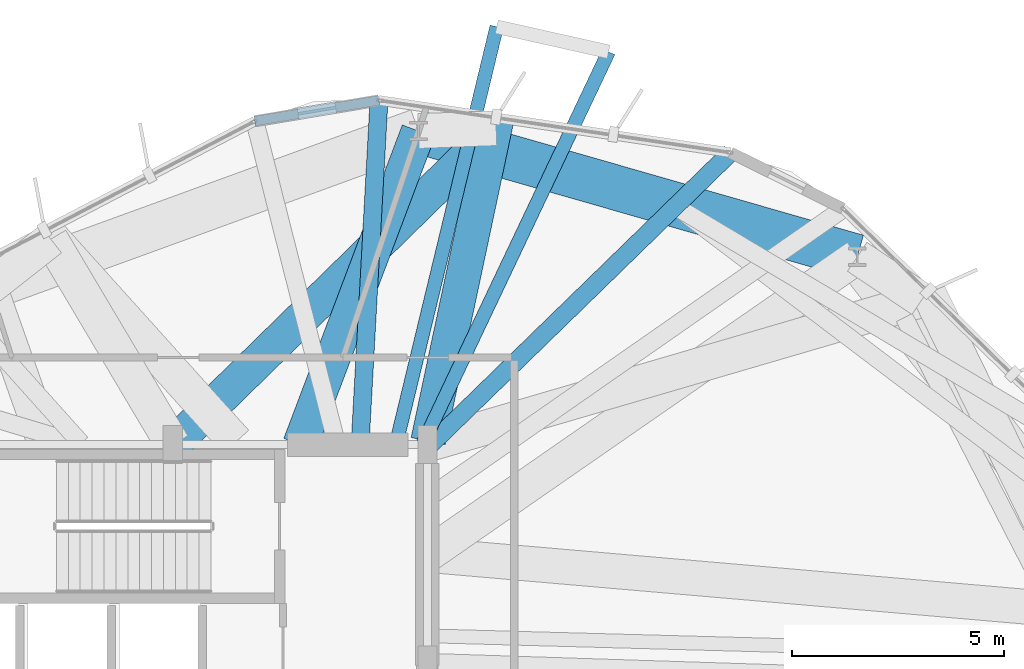
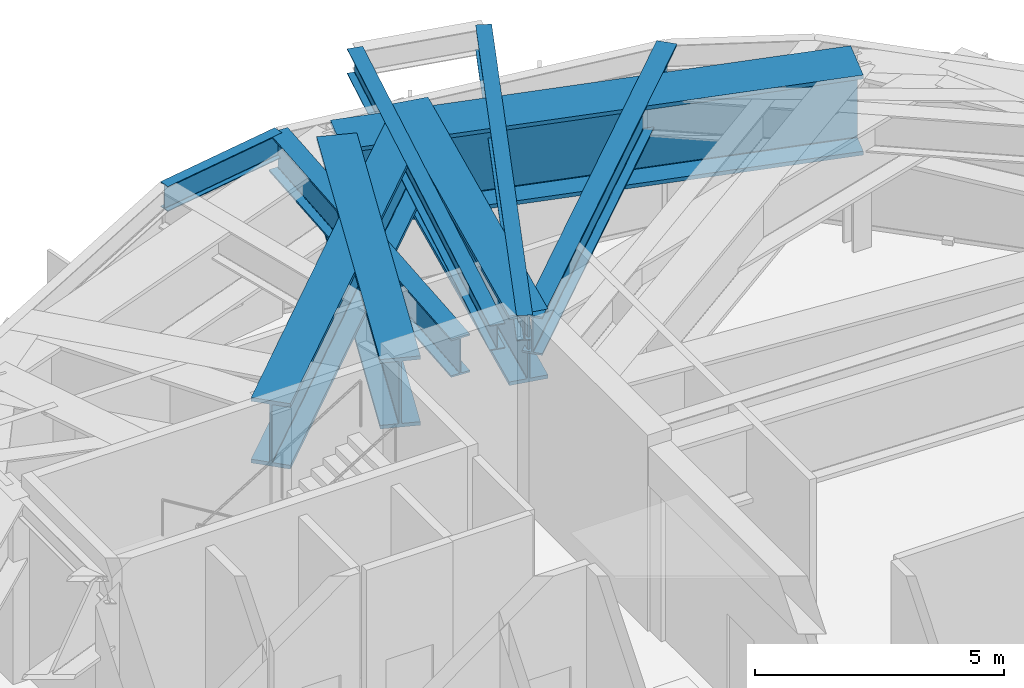
# One storey, part 18 of 27: 9 beams.
"""IFC4 building model written with IfcOpenShell, lengths in metres."""

from ifc_helpers import new_model, si_unit, direction, frame, origin, origin_2d, place, context, subcontext, project, spatial, i_section, extrude, material, material_profile, profile_set, type_object, element, save


model = new_model("IFC4")

# Units and contexts
model_context = context("Model", 3, precision=1e-05, world=origin(), true_north=direction((0.0, 1.0)))
body_context = subcontext(model_context, "Body", "Model", "MODEL_VIEW")
ifc_project = project(units=[si_unit("LENGTHUNIT", "METRE"), si_unit("AREAUNIT", "SQUARE_METRE"), si_unit("VOLUMEUNIT", "CUBIC_METRE"), si_unit("PLANEANGLEUNIT", "RADIAN"), si_unit("MASSUNIT", "GRAM", prefix="KILO")], contexts=[model_context])

# Site, building, storey
site_placement = place(None, origin())
site = spatial("IfcSite", under=ifc_project, at=site_placement, CompositionType="ELEMENT")
building_placement = place(site_placement, origin())
building = spatial("IfcBuilding", under=site, at=building_placement, Name="Soratama Intermodal Tower", CompositionType="ELEMENT")
storey_placement = place(building_placement, frame((0.0, 0.0, 134.199951171875)))
storey = spatial("IfcBuildingStorey", under=building, at=storey_placement, Name="L32", CompositionType="ELEMENT", Elevation=134.199951171875)

# Beams
ifc_material_1 = material(Name="Structural steel ASTM A992 Grade 50", Category="steel")
ifc_material_profile_1 = material_profile(ifc_material_1, i_section(OverallWidth=0.324951171875, OverallDepth=0.615966796875, WebThickness=0.013916015625, FlangeThickness=0.021484375, FilletRadius=0.013916015625, at=origin_2d()), Name="W24X117")
ifc_profile_set_1 = profile_set([ifc_material_profile_1], Name="Structural steel ASTM A992 Grade 50")
beam_type_1 = type_object("IfcBeamType", Name="BM-CANT-W24X117", PredefinedType="BEAM", material=ifc_profile_set_1)
beam_1_placement = place(storey_placement, frame((44.5, 35.035888671875, 4.192138671875), z_axis=(0.428454499205, 0.903563358106, 0.0), x_axis=(-0.903563358106, 0.428454499205, 0.0)))
element("IfcBeam", 1, at=beam_1_placement, inside=storey, type_object=beam_type_1, Name="BM-L32-CANT-2-1", PredefinedType="BEAM", context=body_context, shape_type="SweptSolid", body=[
    extrude(i_section(OverallWidth=0.324951171875, OverallDepth=0.615966796875, WebThickness=0.013916015625, FlangeThickness=0.021484375, FilletRadius=0.013916015625, at=origin_2d()), origin(), (0.0, 0.0, 1.0), 10.204345703125),
])
beam_2_placement = place(storey_placement, frame((43.868896484375, 35.0390625, 4.192138671875), z_axis=(0.234527779354, 0.972109418076, 0.0), x_axis=(-0.972109418076, 0.234527779354, 0.0)))
element("IfcBeam", 2, at=beam_2_placement, inside=storey, type_object=beam_type_1, Name="BM-L32-CANT-2-2", PredefinedType="BEAM", context=body_context, shape_type="SweptSolid", body=[
    extrude(i_section(OverallWidth=0.324951171875, OverallDepth=0.615966796875, WebThickness=0.013916015625, FlangeThickness=0.021484375, FilletRadius=0.013916015625, at=origin_2d()), origin(), (0.0, 0.0, 1.0), 10.08935546875),
])
ifc_material_2 = material(Name="Structural steel ASTM A992 Grade 50", Category="steel")
ifc_material_profile_2 = material_profile(ifc_material_2, i_section(OverallWidth=0.423095703125, OverallDepth=0.93896484375, WebThickness=0.02392578125, FlangeThickness=0.042724609375, FilletRadius=0.02392578125, at=origin_2d()), Name="W36X302")
ifc_profile_set_2 = profile_set([ifc_material_profile_2], Name="Structural steel ASTM A992 Grade 50")
beam_type_2 = type_object("IfcBeamType", Name="BM-POD-W36X302", PredefinedType="BEAM", material=ifc_profile_set_2)
beam_3_placement = place(storey_placement, frame((44.62890625, 34.9560546875, 4.030517578125), z_axis=(0.716667140552, 0.697415378131, 0.0), x_axis=(-0.697415378131, 0.716667140552, 0.0)))
element("IfcBeam", 3, at=beam_3_placement, inside=storey, type_object=beam_type_2, Name="BM-L32-TIE0-02", PredefinedType="BEAM", context=body_context, shape_type="SweptSolid", body=[
    extrude(i_section(OverallWidth=0.423095703125, OverallDepth=0.93896484375, WebThickness=0.02392578125, FlangeThickness=0.042724609375, FilletRadius=0.02392578125, at=origin_2d()), origin(), (0.0, 0.0, 1.0), 9.9296875),
])
beam_4_placement = place(storey_placement, frame((43.01708984375, 35.0400390625, 4.030517578125), z_axis=(0.054775957535, 0.998498670243, 0.0), x_axis=(-0.998498670243, 0.054775957535, 0.0)))
element("IfcBeam", 4, at=beam_4_placement, inside=storey, type_object=beam_type_2, Name="BM-L32-TIE1-02", PredefinedType="BEAM", context=body_context, shape_type="SweptSolid", body=[
    extrude(i_section(OverallWidth=0.423095703125, OverallDepth=0.93896484375, WebThickness=0.02392578125, FlangeThickness=0.042724609375, FilletRadius=0.02392578125, at=origin_2d()), origin(), (0.0, 0.0, 1.0), 8.085205078125),
])
ifc_material_3 = material(Name="Structural steel ASTM A992 Grade 50", Category="steel")
ifc_material_profile_3 = material_profile(ifc_material_3, i_section(OverallWidth=0.22900390625, OverallDepth=0.612060546875, WebThickness=0.011962890625, FlangeThickness=0.01953125, FilletRadius=0.012939453125, at=origin_2d()), Name="W24X84")
ifc_profile_set_3 = profile_set([ifc_material_profile_3], Name="Structural steel ASTM A992 Grade 50")
beam_type_3 = type_object("IfcBeamType", Name="BM-SPN-W24X84", PredefinedType="SPANDREL", material=ifc_profile_set_3)
beam_5_placement = place(storey_placement, frame((43.4599609375, 43.113037109375, 4.194091796875), z_axis=(-0.986213189202, -0.165479743303, 0.0), x_axis=(0.165479743303, -0.986213189202, 0.0)))
element("IfcBeam", 5, at=beam_5_placement, inside=storey, type_object=beam_type_3, Name="BS-L32-CRN02", PredefinedType="SPANDREL", context=body_context, shape_type="SweptSolid", body=[
    extrude(i_section(OverallWidth=0.22900390625, OverallDepth=0.612060546875, WebThickness=0.011962890625, FlangeThickness=0.01953125, FilletRadius=0.012939453125, at=origin_2d()), origin(), (0.0, 0.0, 1.0), 2.967041015625),
])
ifc_material_4 = material(Name="Structural steel ASTM A992 Grade 50", Category="steel")
ifc_material_profile_4 = material_profile(ifc_material_4, i_section(OverallWidth=0.820068359375, OverallDepth=1.699951171875, WebThickness=0.053955078125, FlangeThickness=0.087890625, FilletRadius=0.02392578125, at=origin_2d()), Name="PG1580X800")
ifc_profile_set_4 = profile_set([ifc_material_profile_4], Name="Structural steel ASTM A992 Grade 50")
beam_type_4 = type_object("IfcBeamType", Name="BM-ZSTEP-PG1580", PredefinedType="BEAM", material=ifc_profile_set_4)
beam_6_placement = place(storey_placement, frame((44.617919921875, 35.080078125, 3.650146484375), z_axis=(0.207848635466, 0.978161001438, 0.0), x_axis=(-0.978161001438, 0.207848635466, 0.0)))
element("IfcBeam", 6, at=beam_6_placement, inside=storey, type_object=beam_type_4, Name="BM-L32-ZCHORD-03", PredefinedType="BEAM", context=body_context, shape_type="SweptSolid", body=[
    extrude(i_section(OverallWidth=0.820068359375, OverallDepth=1.699951171875, WebThickness=0.053955078125, FlangeThickness=0.087890625, FilletRadius=0.02392578125, at=origin_2d()), origin(), (0.0, 0.0, 1.0), 7.7900390625),
])
beam_7_placement = place(storey_placement, frame((41.60009765625, 35.0, 3.650146484375), z_axis=(0.353577871145, 0.935405093549, 0.0), x_axis=(-0.935405093549, 0.353577871145, 0.0)))
element("IfcBeam", 7, at=beam_7_placement, inside=storey, type_object=beam_type_4, Name="BM-L32-RAD-03", PredefinedType="BEAM", context=body_context, shape_type="SweptSolid", body=[
    extrude(i_section(OverallWidth=0.820068359375, OverallDepth=1.699951171875, WebThickness=0.053955078125, FlangeThickness=0.087890625, FilletRadius=0.02392578125, at=origin_2d()), origin(), (0.0, 0.0, 1.0), 7.899169921875),
])
ifc_material_5 = material(Name="Structural steel ASTM A992 Grade 50", Category="steel")
ifc_material_profile_5 = material_profile(ifc_material_5, i_section(OverallWidth=0.820068359375, OverallDepth=1.60205078125, WebThickness=0.055908203125, FlangeThickness=0.092041015625, FilletRadius=0.02392578125, at=origin_2d()), Name="PG1600X650")
ifc_profile_set_5 = profile_set([ifc_material_profile_5], Name="Structural steel ASTM A992 Grade 50")
beam_type_5 = type_object("IfcBeamType", Name="BM-ZSTEP-PG1600", PredefinedType="BEAM", material=ifc_profile_set_5)
beam_8_placement = place(storey_placement, frame((46.220947265625, 42.45703125, 3.698974609375), z_axis=(-0.714747179672, -0.69938292026, 0.0), x_axis=(0.69938292026, -0.714747179672, 0.0)))
element("IfcBeam", 8, at=beam_8_placement, inside=storey, type_object=beam_type_5, Name="BM-L32-ZSTEP-B03", PredefinedType="BEAM", context=body_context, shape_type="SweptSolid", body=[
    extrude(i_section(OverallWidth=0.820068359375, OverallDepth=1.60205078125, WebThickness=0.055908203125, FlangeThickness=0.092041015625, FilletRadius=0.02392578125, at=origin_2d()), origin(), (0.0, 0.0, 1.0), 10.662353515625),
])
ifc_material_6 = material(Name="Structural steel ASTM A992 Grade 50", Category="steel")
ifc_material_profile_6 = material_profile(ifc_material_6, i_section(OverallWidth=1.06005859375, OverallDepth=1.9599609375, WebThickness=0.05810546875, FlangeThickness=0.095947265625, FilletRadius=0.02392578125, at=origin_2d()), Name="PG2400X900")
ifc_profile_set_6 = profile_set([ifc_material_profile_6], Name="Structural steel ASTM A992 Grade 50")
beam_type_6 = type_object("IfcBeamType", Name="BM-ZSTEP-PG2400", PredefinedType="BEAM", material=ifc_profile_set_6)
beam_9_placement = place(storey_placement, frame((54.72998046875, 39.425048828125, 3.52001953125), z_axis=(-0.961266505995, 0.275620580604, 0.0), x_axis=(-0.275620580604, -0.961266505995, 0.0)))
element("IfcBeam", 9, at=beam_9_placement, inside=storey, type_object=beam_type_6, Name="BM-L32-RING-02", PredefinedType="BEAM", context=body_context, shape_type="SweptSolid", body=[
    extrude(i_section(OverallWidth=1.06005859375, OverallDepth=1.9599609375, WebThickness=0.05810546875, FlangeThickness=0.095947265625, FilletRadius=0.02392578125, at=origin_2d()), origin(), (0.0, 0.0, 1.0), 10.75341796875),
])

save(model, "model.ifc")
